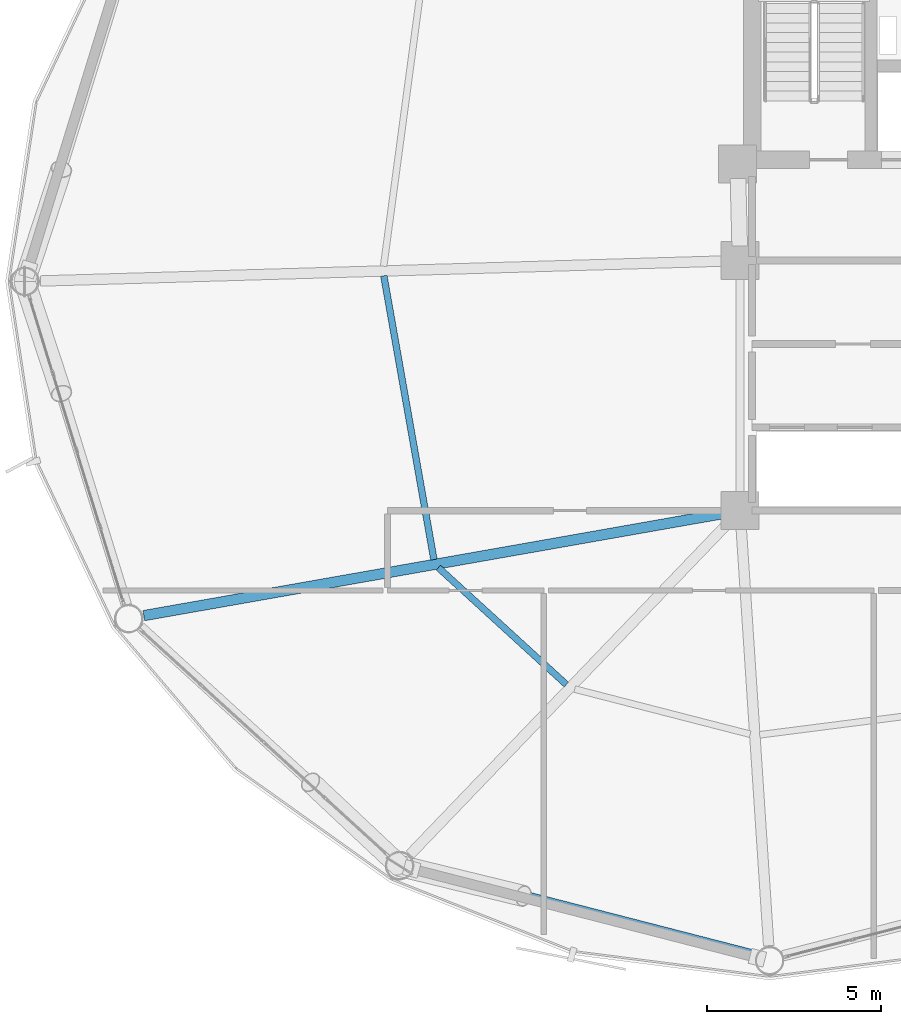
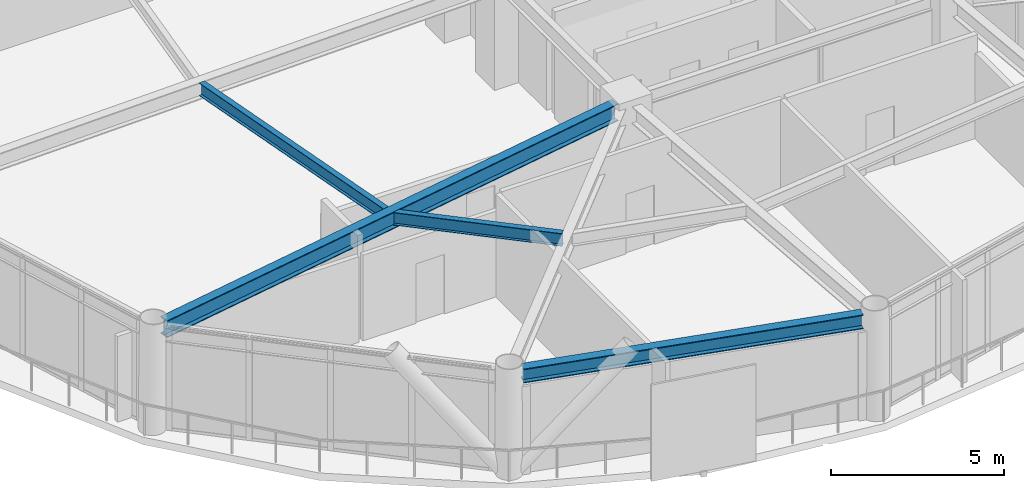
# One storey, part 5 of 24: 4 beams.
"""IFC4 building model written with IfcOpenShell, lengths in metres."""

from ifc_helpers import new_model, si_unit, direction, frame, origin, origin_2d, place, context, subcontext, project, spatial, i_section, extrude, material, material_profile, profile_set, type_object, element, save


model = new_model("IFC4")

# Units and contexts
model_context = context("Model", 3, precision=1e-05, world=origin(), true_north=direction((0.0, 1.0)))
body_context = subcontext(model_context, "Body", "Model", "MODEL_VIEW")
ifc_project = project(units=[si_unit("LENGTHUNIT", "METRE"), si_unit("AREAUNIT", "SQUARE_METRE"), si_unit("VOLUMEUNIT", "CUBIC_METRE"), si_unit("PLANEANGLEUNIT", "RADIAN"), si_unit("MASSUNIT", "GRAM", prefix="KILO")], contexts=[model_context])

# Site, building, storey
site_placement = place(None, origin())
site = spatial("IfcSite", under=ifc_project, at=site_placement, CompositionType="ELEMENT")
building_placement = place(site_placement, origin())
building = spatial("IfcBuilding", under=site, at=building_placement, Name="Varnakorn Sky Granary", CompositionType="ELEMENT")
storey_placement = place(building_placement, frame((0.0, 0.0, 111.0)))
storey = spatial("IfcBuildingStorey", under=building, at=storey_placement, Name="L27", CompositionType="ELEMENT", Elevation=111.0)

# Beams
ifc_material = material(Name="Steel S355JR", Category="steel")
ifc_material_profile_1 = material_profile(ifc_material, i_section(OverallWidth=0.300048828125, OverallDepth=0.60009765625, WebThickness=0.015380859375, FlangeThickness=0.030029296875, at=origin_2d()), Name="HE 600 B")
ifc_profile_set_1 = profile_set([ifc_material_profile_1], Name="Steel S355JR")
beam_type_1 = type_object("IfcBeamType", Name="BM-RAD-Z2", PredefinedType="BEAM", material=ifc_profile_set_1)
beam_1_placement = place(storey_placement, frame((-2.763671875, -6.6728515625, 3.340087890625), z_axis=(-0.984844185876, -0.173441429727, 0.0), x_axis=(0.173441429727, -0.984844185876, 0.0)))
element("IfcBeam", 1, at=beam_1_placement, inside=storey, type_object=beam_type_1, Name="Radial Floor Girder RG08 L27", PredefinedType="BEAM", context=body_context, shape_type="SweptSolid", body=[
    extrude(i_section(OverallWidth=0.300048828125, OverallDepth=0.60009765625, WebThickness=0.015380859375, FlangeThickness=0.030029296875, at=origin_2d()), origin(), (0.0, 0.0, 1.0), 17.009765625),
])
ifc_material_profile_2 = material_profile(ifc_material, i_section(OverallWidth=0.18994140625, OverallDepth=0.449951171875, WebThickness=0.009521484375, FlangeThickness=0.0146484375, at=origin_2d()), Name="IPE 450")
ifc_profile_set_2 = profile_set([ifc_material_profile_2], Name="Steel S355JR")
beam_type_2 = type_object("IfcBeamType", Name="BM-SEC-Z2", PredefinedType="BEAM", material=ifc_profile_set_2)
beam_2_placement = place(storey_placement, frame((-12.6064453125, 0.16162109375, 3.4150390625), z_axis=(0.173823937534, -0.984776745633, 0.0), x_axis=(0.984776745633, 0.173823937534, 0.0)))
element("IfcBeam", 2, at=beam_2_placement, inside=storey, type_object=beam_type_2, Name="Secondary Floor Chord Beam MSB07 L27", PredefinedType="BEAM", context=body_context, shape_type="SweptSolid", body=[
    extrude(i_section(OverallWidth=0.18994140625, OverallDepth=0.449951171875, WebThickness=0.009521484375, FlangeThickness=0.0146484375, at=origin_2d()), origin(), (0.0, 0.0, 1.0), 8.2978515625),
])
beam_3_placement = place(storey_placement, frame((-11.036376953125, -8.242431640625, 3.4150390625), z_axis=(0.738462199152, -0.674294876463, 0.0), x_axis=(0.674294876463, 0.738462199152, 0.0)))
element("IfcBeam", 3, at=beam_3_placement, inside=storey, type_object=beam_type_2, Name="Secondary Floor Chord Beam MSB08 L27", PredefinedType="BEAM", context=body_context, shape_type="SweptSolid", body=[
    extrude(i_section(OverallWidth=0.18994140625, OverallDepth=0.449951171875, WebThickness=0.009521484375, FlangeThickness=0.0146484375, at=origin_2d()), origin(), (0.0, 0.0, 1.0), 4.991943359375),
])
ifc_material_profile_3 = material_profile(ifc_material, i_section(OverallWidth=0.300048828125, OverallDepth=0.5, WebThickness=0.014404296875, FlangeThickness=0.028076171875, at=origin_2d()), Name="HE 500 B")
ifc_profile_set_3 = profile_set([ifc_material_profile_3], Name="Steel S355JR")
beam_type_3 = type_object("IfcBeamType", Name="BM-SPD-Z2", PredefinedType="SPANDREL", material=ifc_profile_set_3)
beam_4_placement = place(storey_placement, frame((-11.744873046875, -16.8828125, 3.389892578125), z_axis=(0.968499538733, -0.24901534787, 0.0), x_axis=(0.24901534787, 0.968499538733, 0.0)))
element("IfcBeam", 4, at=beam_4_placement, inside=storey, type_object=beam_type_3, Name="Perimeter Spandrel Ring Beam RB09 L27", PredefinedType="SPANDREL", context=body_context, shape_type="SweptSolid", body=[
    extrude(i_section(OverallWidth=0.300048828125, OverallDepth=0.5, WebThickness=0.014404296875, FlangeThickness=0.028076171875, at=origin_2d()), origin(), (0.0, 0.0, 1.0), 10.1865234375),
])

save(model, "model.ifc")
